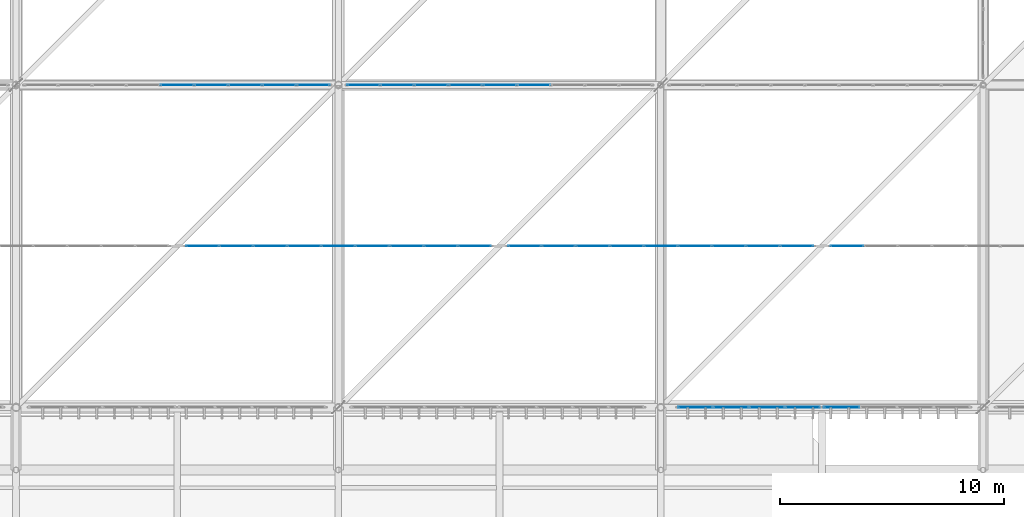
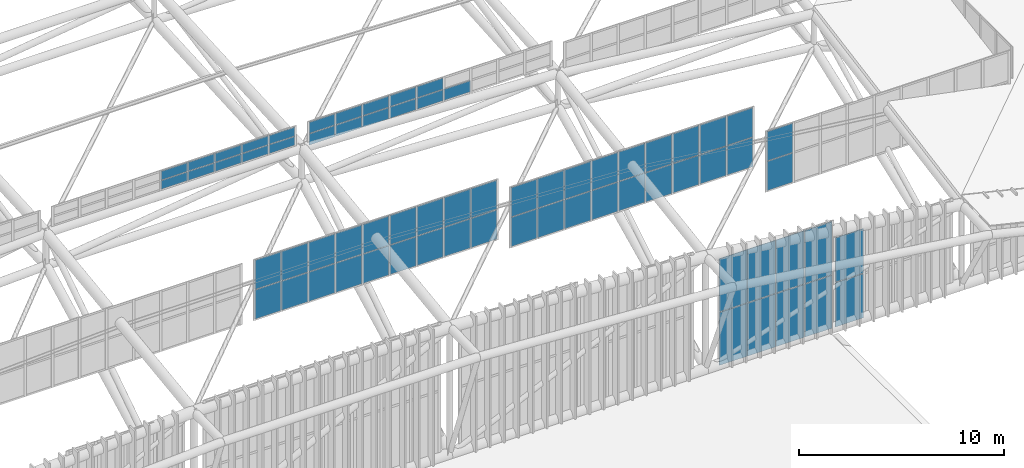
# One storey, part 365 of 397: 69 plates, 7 elements without a shape of their own.
"""IFC4 building model written with IfcOpenShell, lengths in metres."""

import ifcopenshell
import ifcopenshell.guid

model = None  # the IFC model being written
_history = None  # IfcOwnerHistory: only IFC2X3 demands one
_inside = {}  # id of a spatial element -> (the spatial element, [elements in it])
_under = {}  # id of a project, library or spatial element -> (it, [spatial elements below it])
_declared = {}  # id of a project -> (the project, [libraries it declares])
_typed = {}  # id of a type object -> (the type object, [elements of that type])
_made_of = {}  # id of a material, layer set ... -> (it, [elements and type objects made of it])


def new_model(schema):
    """Start an empty IFC model of exactly this schema.

    Asked for "IFC4X3", IfcOpenShell would pick the latest addendum, in which some entities
    have other attributes; the version numbers below select the first issue.
    IFC2X3 requires an IfcOwnerHistory on every rooted entity: one is made here for all.
    """
    global model, _history
    if schema == "IFC4X3":
        model = ifcopenshell.file(schema_version=(4, 3, 0, 0))
    else:
        model = ifcopenshell.file(schema=schema)
    _inside.clear()
    _under.clear()
    _declared.clear()
    _typed.clear()
    _made_of.clear()
    _history = None
    if model.schema == "IFC2X3":
        org = make("IfcOrganization", Name="unknown")
        user = make(
            "IfcPersonAndOrganization",
            ThePerson=make("IfcPerson", FamilyName="unknown"),
            TheOrganization=org,
        )
        app = make(
            "IfcApplication",
            ApplicationDeveloper=org,
            Version="unknown",
            ApplicationFullName="unknown",
            ApplicationIdentifier="unknown",
        )
        _history = make(
            "IfcOwnerHistory",
            OwningUser=user,
            OwningApplication=app,
            ChangeAction="ADDED",
            CreationDate=0,
        )
    return model


def make(cls, **values):
    """One entity of the class cls with the attributes given. An attribute that is None is left unset."""
    return model.create_entity(
        cls, **{name: value for name, value in values.items() if value is not None}
    )


def rooted(cls, **values):
    """An entity with a GlobalId (a new one), such as an element, a storey or a relation."""
    return make(cls, GlobalId=ifcopenshell.guid.new(), OwnerHistory=_history, **values)


def si_unit(unit_type, name, prefix=None):
    """IfcSIUnit, for example si_unit("LENGTHUNIT", "METRE", prefix="MILLI")."""
    return make("IfcSIUnit", UnitType=unit_type, Prefix=prefix, Name=name)


def assignment(units):
    """IfcUnitAssignment: the units of a project."""
    return None if units is None else make("IfcUnitAssignment", Units=units)


def point(xyz):
    """IfcCartesianPoint."""
    return None if xyz is None else make("IfcCartesianPoint", Coordinates=xyz)


def direction(xyz):
    """IfcDirection."""
    return None if xyz is None else make("IfcDirection", DirectionRatios=xyz)


def frame(location, z_axis=None, x_axis=None):
    """IfcAxis2Placement3D, a coordinate frame: its origin and axes. An axis left out is left unset."""
    return make(
        "IfcAxis2Placement3D",
        Location=point(location),
        Axis=direction(z_axis),
        RefDirection=direction(x_axis),
    )


def frame_2d(location, x_axis=None):
    """IfcAxis2Placement2D, a coordinate frame in the plane: its origin and x axis."""
    return make(
        "IfcAxis2Placement2D", Location=point(location), RefDirection=direction(x_axis)
    )


def origin():
    """The frame at (0, 0, 0) with its axes left unset."""
    return frame((0.0, 0.0, 0.0))


def origin_2d():
    """The frame at (0, 0) in the plane with its x axis left unset."""
    return frame_2d((0.0, 0.0))


def place(relative_to, where):
    """IfcLocalPlacement: puts the frame where relative to a parent placement (None: the world)."""
    return make(
        "IfcLocalPlacement", PlacementRelTo=relative_to, RelativePlacement=where
    )


def context(
    kind, dimensions, precision=None, world=None, true_north=None, identifier=None
):
    """IfcGeometricRepresentationContext, for example the 3D "Model" context."""
    return make(
        "IfcGeometricRepresentationContext",
        ContextIdentifier=identifier,
        ContextType=kind,
        CoordinateSpaceDimension=dimensions,
        Precision=precision,
        WorldCoordinateSystem=world,
        TrueNorth=true_north,
    )


def subcontext(parent, identifier, kind, view, scale=None):
    """IfcGeometricRepresentationSubContext, for example "Body" below "Model"."""
    return make(
        "IfcGeometricRepresentationSubContext",
        ContextIdentifier=identifier,
        ContextType=kind,
        ParentContext=parent,
        TargetScale=scale,
        TargetView=view,
    )


def project(units=None, contexts=None):
    """IfcProject with its units and contexts."""
    return rooted(
        "IfcProject",
        Name="project",
        RepresentationContexts=contexts,
        UnitsInContext=assignment(units),
    )


def spatial(cls, under=None, at=None, **own):
    """A site, building, storey or space (cls), placed at a placement, below another one or the project."""
    s = rooted(cls, ObjectPlacement=at, **own)
    if under is not None:
        _under.setdefault(under.id(), (under, []))[1].append(s)
    return s


def profile(cls, at=None, kind="AREA", **sizes):
    """A parametric profile (cls). Its sizes go by their IFC names, for example OverallWidth=200.0."""
    return make(cls, ProfileType=kind, Position=at, **sizes)


def rectangle(**sizes):
    """IfcRectangleProfileDef."""
    return profile("IfcRectangleProfileDef", **sizes)


def extrude(swept, where, along, depth):
    """IfcExtrudedAreaSolid: the profile swept, set in the frame where, extruded along a direction by depth."""
    return make(
        "IfcExtrudedAreaSolid",
        SweptArea=swept,
        Position=where,
        ExtrudedDirection=direction(along),
        Depth=depth,
    )


def shape(context_of_items, identifier, shape_type, items):
    """IfcShapeRepresentation: the items that make up one representation, for example the "Body"."""
    return make(
        "IfcShapeRepresentation",
        ContextOfItems=context_of_items,
        RepresentationIdentifier=identifier,
        RepresentationType=shape_type,
        Items=items,
    )


def material(Name=None, Category=None):
    """IfcMaterial."""
    return make("IfcMaterial", Name=Name, Category=Category)


def layer(
    of_material, thickness, ventilated=None, Name=None, Category=None, Priority=None
):
    """IfcMaterialLayer: one layer of a wall or slab, of a material (None: an air gap)."""
    return make(
        "IfcMaterialLayer",
        Material=of_material,
        LayerThickness=thickness,
        IsVentilated=ventilated,
        Name=Name,
        Category=Category,
        Priority=Priority,
    )


def layer_set(layers, Name=None):
    """IfcMaterialLayerSet."""
    return make("IfcMaterialLayerSet", MaterialLayers=layers, LayerSetName=Name)


def made_of(thing, what):
    """Note that an element or type object is made of a material, layer set ...; save() writes the relation."""
    if what is not None:
        _made_of.setdefault(what.id(), (what, []))[1].append(thing)
    return thing


def type_object(cls, material=None, **own):
    """A type object (cls), such as IfcWallType, which elements share."""
    return made_of(rooted(cls, **own), material)


def element(
    cls,
    number,
    at=None,
    inside=None,
    cuts=None,
    type_object=None,
    material=None,
    context=None,
    identifier="Body",
    shape_type=None,
    held_by="IfcProductDefinitionShape",
    body=None,
    shapes=None,
    **own,
):
    """One element of the class cls, such as IfcWall. Its Tag is "e" and its number.

    at: its placement. inside: the storey or other place that contains it. cuts: it is an
    opening in that element (IfcRelVoidsElement). A single representation is given by context,
    identifier, shape_type and body (its items); several are given by shapes. held_by: the class
    of the entity that holds the representations. save() writes the other relations.
    """
    e = rooted(cls, Tag="e%d" % number, ObjectPlacement=at, **own)
    if body is not None:
        shapes = [shape(context, identifier, shape_type, body)]
    if shapes is not None:
        e.Representation = make(held_by, Representations=shapes)
    if inside is not None:
        _inside.setdefault(inside.id(), (inside, []))[1].append(e)
    if cuts is not None:
        rooted(
            "IfcRelVoidsElement", RelatingBuildingElement=cuts, RelatedOpeningElement=e
        )
    if type_object is not None:
        _typed.setdefault(type_object.id(), (type_object, []))[1].append(e)
    return made_of(e, material)


def aggregate(whole, parts):
    """IfcRelAggregates: a whole, such as a stair, and the parts it consists of."""
    return rooted("IfcRelAggregates", RelatingObject=whole, RelatedObjects=parts)


def save(model, path):
    """Write the relations noted so far, then the file.

    IfcRelAggregates (storeys below a building ...), IfcRelContainedInSpatialStructure (elements
    in a storey), IfcRelDefinesByType, IfcRelAssociatesMaterial and IfcRelDeclares: one each for
    every whole, place, type object, material and project.
    """
    for whole, parts in _under.values():
        aggregate(whole, parts)
    for where, things in _inside.values():
        rooted(
            "IfcRelContainedInSpatialStructure",
            RelatedElements=things,
            RelatingStructure=where,
        )
    for kind, things in _typed.values():
        rooted("IfcRelDefinesByType", RelatedObjects=things, RelatingType=kind)
    for what, things in _made_of.values():
        rooted("IfcRelAssociatesMaterial", RelatedObjects=things, RelatingMaterial=what)
    for by, libraries in _declared.values():
        rooted("IfcRelDeclares", RelatingContext=by, RelatedDefinitions=libraries)
    model.write(path)


model = new_model("IFC4")

# Units and contexts
model_context = context("Model", 3, precision=1e-05, world=origin(), true_north=direction((0.0, 1.0)))
body_context = subcontext(model_context, "Body", "Model", "MODEL_VIEW")
ifc_project = project(units=[si_unit("LENGTHUNIT", "METRE"), si_unit("AREAUNIT", "SQUARE_METRE"), si_unit("VOLUMEUNIT", "CUBIC_METRE"), si_unit("PLANEANGLEUNIT", "RADIAN"), si_unit("MASSUNIT", "GRAM", prefix="KILO")], contexts=[model_context])

# Site, building, storey
site_placement = place(None, origin())
site = spatial("IfcSite", under=ifc_project, at=site_placement, CompositionType="ELEMENT")
building_placement = place(site_placement, origin())
building = spatial("IfcBuilding", under=site, at=building_placement, Name="Qandorah Velis Arena", CompositionType="ELEMENT")
storey_placement = place(building_placement, frame((0.0, 0.0, 27.5)))
storey = spatial("IfcBuildingStorey", under=building, at=storey_placement, Name="RF", CompositionType="ELEMENT", Elevation=27.5)

# Curtain wall, plates
ifc_material = material(Name="Solar-control low-E double glazing", Category="glass")
curtain_wall_type_1 = type_object("IfcCurtainWallType", Name="ARC-CW-SYS22", PredefinedType="USERDEFINED", material=ifc_material)
curtain_wall_1_placement = place(storey_placement, origin())
curtain_wall_1 = element("IfcCurtainWall", 1, at=curtain_wall_1_placement, inside=storey, type_object=curtain_wall_type_1, Name="Unitised curtain wall MON-3-4", ObjectType="UNITISED CURTAIN WALL", PredefinedType="USERDEFINED")
ifc_layer_1 = layer(ifc_material, 0.030029296875)
ifc_layer_set_1 = layer_set([ifc_layer_1], Name="Solar-control low-E double glazing")
plate_type_1 = type_object("IfcPlateType", Name="ARC-CWP-GLZ30", PredefinedType="CURTAIN_PANEL", material=ifc_layer_set_1)
plate_1_placement = place(storey_placement, frame((65.9248046875, 21.60009765625, 6.12451171875), z_axis=(0.0, 0.0, 1.0), x_axis=(1.0, 0.0, 0.0)))
plate_1 = element("IfcPlate", 2, at=plate_1_placement, type_object=plate_type_1, Name="CW22 panel 1.1", PredefinedType="CURTAIN_PANEL", context=body_context, shape_type="SweptSolid", body=[
    extrude(rectangle(XDim=1.459716796875, YDim=0.030029296875, at=origin_2d()), origin(), (0.0, 0.0, 1.0), 1.737548828125),
])
plate_2_placement = place(storey_placement, frame((65.9248046875, 21.60009765625, 7.89697265625), z_axis=(0.0, 0.0, 1.0), x_axis=(1.0, 0.0, 0.0)))
plate_2 = element("IfcPlate", 3, at=plate_2_placement, type_object=plate_type_1, Name="CW22 panel 1.2", PredefinedType="CURTAIN_PANEL", context=body_context, shape_type="SweptSolid", body=[
    extrude(rectangle(XDim=1.459716796875, YDim=0.030029296875, at=origin_2d()), origin(), (0.0, 0.0, 1.0), 1.737548828125),
])
plate_3_placement = place(storey_placement, frame((67.433349609375, 21.60009765625, 6.12451171875), z_axis=(0.0, 0.0, 1.0), x_axis=(1.0, 0.0, 0.0)))
plate_3 = element("IfcPlate", 4, at=plate_3_placement, type_object=plate_type_1, Name="CW22 panel 2.1", PredefinedType="CURTAIN_PANEL", context=body_context, shape_type="SweptSolid", body=[
    extrude(rectangle(XDim=1.4873046875, YDim=0.030029296875, at=origin_2d()), origin(), (0.0, 0.0, 1.0), 1.737548828125),
])
plate_4_placement = place(storey_placement, frame((67.433349609375, 21.60009765625, 7.89697265625), z_axis=(0.0, 0.0, 1.0), x_axis=(1.0, 0.0, 0.0)))
plate_4 = element("IfcPlate", 5, at=plate_4_placement, type_object=plate_type_1, Name="CW22 panel 2.2", PredefinedType="CURTAIN_PANEL", context=body_context, shape_type="SweptSolid", body=[
    extrude(rectangle(XDim=1.4873046875, YDim=0.030029296875, at=origin_2d()), origin(), (0.0, 0.0, 1.0), 1.737548828125),
])
plate_5_placement = place(storey_placement, frame((68.95556640625, 21.60009765625, 6.12451171875), z_axis=(0.0, 0.0, 1.0), x_axis=(1.0, 0.0, 0.0)))
plate_5 = element("IfcPlate", 6, at=plate_5_placement, type_object=plate_type_1, Name="CW22 panel 3.1", PredefinedType="CURTAIN_PANEL", context=body_context, shape_type="SweptSolid", body=[
    extrude(rectangle(XDim=1.4873046875, YDim=0.030029296875, at=origin_2d()), origin(), (0.0, 0.0, 1.0), 1.737548828125),
])
plate_6_placement = place(storey_placement, frame((68.95556640625, 21.60009765625, 7.89697265625), z_axis=(0.0, 0.0, 1.0), x_axis=(1.0, 0.0, 0.0)))
plate_6 = element("IfcPlate", 7, at=plate_6_placement, type_object=plate_type_1, Name="CW22 panel 3.2", PredefinedType="CURTAIN_PANEL", context=body_context, shape_type="SweptSolid", body=[
    extrude(rectangle(XDim=1.4873046875, YDim=0.030029296875, at=origin_2d()), origin(), (0.0, 0.0, 1.0), 1.737548828125),
])
plate_7_placement = place(storey_placement, frame((70.477783203125, 21.60009765625, 6.12451171875), z_axis=(0.0, 0.0, 1.0), x_axis=(1.0, 0.0, 0.0)))
plate_7 = element("IfcPlate", 8, at=plate_7_placement, type_object=plate_type_1, Name="CW22 panel 4.1", PredefinedType="CURTAIN_PANEL", context=body_context, shape_type="SweptSolid", body=[
    extrude(rectangle(XDim=1.4873046875, YDim=0.030029296875, at=origin_2d()), origin(), (0.0, 0.0, 1.0), 1.737548828125),
])
plate_8_placement = place(storey_placement, frame((70.477783203125, 21.60009765625, 7.89697265625), z_axis=(0.0, 0.0, 1.0), x_axis=(1.0, 0.0, 0.0)))
plate_8 = element("IfcPlate", 9, at=plate_8_placement, type_object=plate_type_1, Name="CW22 panel 4.2", PredefinedType="CURTAIN_PANEL", context=body_context, shape_type="SweptSolid", body=[
    extrude(rectangle(XDim=1.4873046875, YDim=0.030029296875, at=origin_2d()), origin(), (0.0, 0.0, 1.0), 1.737548828125),
])
plate_9_placement = place(storey_placement, frame((72.0, 21.60009765625, 6.12451171875), z_axis=(0.0, 0.0, 1.0), x_axis=(1.0, 0.0, 0.0)))
plate_9 = element("IfcPlate", 10, at=plate_9_placement, type_object=plate_type_1, Name="CW22 panel 5.1", PredefinedType="CURTAIN_PANEL", context=body_context, shape_type="SweptSolid", body=[
    extrude(rectangle(XDim=1.4873046875, YDim=0.030029296875, at=origin_2d()), origin(), (0.0, 0.0, 1.0), 1.737548828125),
])
plate_10_placement = place(storey_placement, frame((72.0, 21.60009765625, 7.89697265625), z_axis=(0.0, 0.0, 1.0), x_axis=(1.0, 0.0, 0.0)))
plate_10 = element("IfcPlate", 11, at=plate_10_placement, type_object=plate_type_1, Name="CW22 panel 5.2", PredefinedType="CURTAIN_PANEL", context=body_context, shape_type="SweptSolid", body=[
    extrude(rectangle(XDim=1.4873046875, YDim=0.030029296875, at=origin_2d()), origin(), (0.0, 0.0, 1.0), 1.737548828125),
])
plate_11_placement = place(storey_placement, frame((73.522216796875, 21.60009765625, 6.12451171875), z_axis=(0.0, 0.0, 1.0), x_axis=(1.0, 0.0, 0.0)))
plate_11 = element("IfcPlate", 12, at=plate_11_placement, type_object=plate_type_1, Name="CW22 panel 6.1", PredefinedType="CURTAIN_PANEL", context=body_context, shape_type="SweptSolid", body=[
    extrude(rectangle(XDim=1.4873046875, YDim=0.030029296875, at=origin_2d()), origin(), (0.0, 0.0, 1.0), 1.737548828125),
])
plate_12_placement = place(storey_placement, frame((73.522216796875, 21.60009765625, 7.89697265625), z_axis=(0.0, 0.0, 1.0), x_axis=(1.0, 0.0, 0.0)))
plate_12 = element("IfcPlate", 13, at=plate_12_placement, type_object=plate_type_1, Name="CW22 panel 6.2", PredefinedType="CURTAIN_PANEL", context=body_context, shape_type="SweptSolid", body=[
    extrude(rectangle(XDim=1.4873046875, YDim=0.030029296875, at=origin_2d()), origin(), (0.0, 0.0, 1.0), 1.737548828125),
])
plate_13_placement = place(storey_placement, frame((75.04443359375, 21.60009765625, 6.12451171875), z_axis=(0.0, 0.0, 1.0), x_axis=(1.0, 0.0, 0.0)))
plate_13 = element("IfcPlate", 14, at=plate_13_placement, type_object=plate_type_1, Name="CW22 panel 7.1", PredefinedType="CURTAIN_PANEL", context=body_context, shape_type="SweptSolid", body=[
    extrude(rectangle(XDim=1.4873046875, YDim=0.030029296875, at=origin_2d()), origin(), (0.0, 0.0, 1.0), 1.737548828125),
])
plate_14_placement = place(storey_placement, frame((75.04443359375, 21.60009765625, 7.89697265625), z_axis=(0.0, 0.0, 1.0), x_axis=(1.0, 0.0, 0.0)))
plate_14 = element("IfcPlate", 15, at=plate_14_placement, type_object=plate_type_1, Name="CW22 panel 7.2", PredefinedType="CURTAIN_PANEL", context=body_context, shape_type="SweptSolid", body=[
    extrude(rectangle(XDim=1.4873046875, YDim=0.030029296875, at=origin_2d()), origin(), (0.0, 0.0, 1.0), 1.737548828125),
])
plate_15_placement = place(storey_placement, frame((76.566650390625, 21.60009765625, 6.12451171875), z_axis=(0.0, 0.0, 1.0), x_axis=(1.0, 0.0, 0.0)))
plate_15 = element("IfcPlate", 16, at=plate_15_placement, type_object=plate_type_1, Name="CW22 panel 8.1", PredefinedType="CURTAIN_PANEL", context=body_context, shape_type="SweptSolid", body=[
    extrude(rectangle(XDim=1.4873046875, YDim=0.030029296875, at=origin_2d()), origin(), (0.0, 0.0, 1.0), 1.737548828125),
])
plate_16_placement = place(storey_placement, frame((76.566650390625, 21.60009765625, 7.89697265625), z_axis=(0.0, 0.0, 1.0), x_axis=(1.0, 0.0, 0.0)))
plate_16 = element("IfcPlate", 17, at=plate_16_placement, type_object=plate_type_1, Name="CW22 panel 8.2", PredefinedType="CURTAIN_PANEL", context=body_context, shape_type="SweptSolid", body=[
    extrude(rectangle(XDim=1.4873046875, YDim=0.030029296875, at=origin_2d()), origin(), (0.0, 0.0, 1.0), 1.737548828125),
])
plate_17_placement = place(storey_placement, frame((78.0751953125, 21.60009765625, 6.12451171875), z_axis=(0.0, 0.0, 1.0), x_axis=(1.0, 0.0, 0.0)))
plate_17 = element("IfcPlate", 18, at=plate_17_placement, type_object=plate_type_1, Name="CW22 panel 9.1", PredefinedType="CURTAIN_PANEL", context=body_context, shape_type="SweptSolid", body=[
    extrude(rectangle(XDim=1.459716796875, YDim=0.030029296875, at=origin_2d()), origin(), (0.0, 0.0, 1.0), 1.737548828125),
])
plate_18_placement = place(storey_placement, frame((78.0751953125, 21.60009765625, 7.89697265625), z_axis=(0.0, 0.0, 1.0), x_axis=(1.0, 0.0, 0.0)))
plate_18 = element("IfcPlate", 19, at=plate_18_placement, type_object=plate_type_1, Name="CW22 panel 9.2", PredefinedType="CURTAIN_PANEL", context=body_context, shape_type="SweptSolid", body=[
    extrude(rectangle(XDim=1.459716796875, YDim=0.030029296875, at=origin_2d()), origin(), (0.0, 0.0, 1.0), 1.737548828125),
])
aggregate(curtain_wall_1, [plate_1, plate_2, plate_3, plate_4, plate_5, plate_6, plate_7, plate_8, plate_9, plate_10, plate_11, plate_12, plate_13, plate_14, plate_15, plate_16, plate_17, plate_18])

curtain_wall_type_2 = type_object("IfcCurtainWallType", Name="ARC-CW-SYS23", PredefinedType="USERDEFINED", material=ifc_material)
curtain_wall_2_placement = place(storey_placement, origin())
curtain_wall_2 = element("IfcCurtainWall", 20, at=curtain_wall_2_placement, inside=storey, type_object=curtain_wall_type_2, Name="Unitised curtain wall MON-3-5", ObjectType="UNITISED CURTAIN WALL", PredefinedType="USERDEFINED")
plate_19_placement = place(storey_placement, frame((80.324951171875, 21.60009765625, 5.3974609375), z_axis=(0.0, 0.0, 1.0), x_axis=(1.0, 0.0, 0.0)))
plate_19 = element("IfcPlate", 21, at=plate_19_placement, type_object=plate_type_1, Name="CW23 panel 1.1", PredefinedType="CURTAIN_PANEL", context=body_context, shape_type="SweptSolid", body=[
    extrude(rectangle(XDim=1.459716796875, YDim=0.030029296875, at=origin_2d()), origin(), (0.0, 0.0, 1.0), 1.737548828125),
])
plate_20_placement = place(storey_placement, frame((80.324951171875, 21.60009765625, 7.17041015625), z_axis=(0.0, 0.0, 1.0), x_axis=(1.0, 0.0, 0.0)))
plate_20 = element("IfcPlate", 22, at=plate_20_placement, type_object=plate_type_1, Name="CW23 panel 1.2", PredefinedType="CURTAIN_PANEL", context=body_context, shape_type="SweptSolid", body=[
    extrude(rectangle(XDim=1.459716796875, YDim=0.030029296875, at=origin_2d()), origin(), (0.0, 0.0, 1.0), 1.737548828125),
])
plate_21_placement = place(storey_placement, frame((81.833251953125, 21.60009765625, 5.3974609375), z_axis=(0.0, 0.0, 1.0), x_axis=(1.0, 0.0, 0.0)))
plate_21 = element("IfcPlate", 23, at=plate_21_placement, type_object=plate_type_1, Name="CW23 panel 2.1", PredefinedType="CURTAIN_PANEL", context=body_context, shape_type="SweptSolid", body=[
    extrude(rectangle(XDim=1.4873046875, YDim=0.030029296875, at=origin_2d()), origin(), (0.0, 0.0, 1.0), 1.737548828125),
])
plate_22_placement = place(storey_placement, frame((81.833251953125, 21.60009765625, 7.17041015625), z_axis=(0.0, 0.0, 1.0), x_axis=(1.0, 0.0, 0.0)))
plate_22 = element("IfcPlate", 24, at=plate_22_placement, type_object=plate_type_1, Name="CW23 panel 2.2", PredefinedType="CURTAIN_PANEL", context=body_context, shape_type="SweptSolid", body=[
    extrude(rectangle(XDim=1.4873046875, YDim=0.030029296875, at=origin_2d()), origin(), (0.0, 0.0, 1.0), 1.737548828125),
])
plate_23_placement = place(storey_placement, frame((83.35546875, 21.60009765625, 5.3974609375), z_axis=(0.0, 0.0, 1.0), x_axis=(1.0, 0.0, 0.0)))
plate_23 = element("IfcPlate", 25, at=plate_23_placement, type_object=plate_type_1, Name="CW23 panel 3.1", PredefinedType="CURTAIN_PANEL", context=body_context, shape_type="SweptSolid", body=[
    extrude(rectangle(XDim=1.4873046875, YDim=0.030029296875, at=origin_2d()), origin(), (0.0, 0.0, 1.0), 1.737548828125),
])
plate_24_placement = place(storey_placement, frame((83.35546875, 21.60009765625, 7.17041015625), z_axis=(0.0, 0.0, 1.0), x_axis=(1.0, 0.0, 0.0)))
plate_24 = element("IfcPlate", 26, at=plate_24_placement, type_object=plate_type_1, Name="CW23 panel 3.2", PredefinedType="CURTAIN_PANEL", context=body_context, shape_type="SweptSolid", body=[
    extrude(rectangle(XDim=1.4873046875, YDim=0.030029296875, at=origin_2d()), origin(), (0.0, 0.0, 1.0), 1.737548828125),
])
plate_25_placement = place(storey_placement, frame((84.877685546875, 21.60009765625, 5.3974609375), z_axis=(0.0, 0.0, 1.0), x_axis=(1.0, 0.0, 0.0)))
plate_25 = element("IfcPlate", 27, at=plate_25_placement, type_object=plate_type_1, Name="CW23 panel 4.1", PredefinedType="CURTAIN_PANEL", context=body_context, shape_type="SweptSolid", body=[
    extrude(rectangle(XDim=1.4873046875, YDim=0.030029296875, at=origin_2d()), origin(), (0.0, 0.0, 1.0), 1.737548828125),
])
plate_26_placement = place(storey_placement, frame((84.877685546875, 21.60009765625, 7.17041015625), z_axis=(0.0, 0.0, 1.0), x_axis=(1.0, 0.0, 0.0)))
plate_26 = element("IfcPlate", 28, at=plate_26_placement, type_object=plate_type_1, Name="CW23 panel 4.2", PredefinedType="CURTAIN_PANEL", context=body_context, shape_type="SweptSolid", body=[
    extrude(rectangle(XDim=1.4873046875, YDim=0.030029296875, at=origin_2d()), origin(), (0.0, 0.0, 1.0), 1.737548828125),
])
plate_27_placement = place(storey_placement, frame((86.39990234375, 21.60009765625, 5.3974609375), z_axis=(0.0, 0.0, 1.0), x_axis=(1.0, 0.0, 0.0)))
plate_27 = element("IfcPlate", 29, at=plate_27_placement, type_object=plate_type_1, Name="CW23 panel 5.1", PredefinedType="CURTAIN_PANEL", context=body_context, shape_type="SweptSolid", body=[
    extrude(rectangle(XDim=1.4873046875, YDim=0.030029296875, at=origin_2d()), origin(), (0.0, 0.0, 1.0), 1.737548828125),
])
plate_28_placement = place(storey_placement, frame((86.39990234375, 21.60009765625, 7.17041015625), z_axis=(0.0, 0.0, 1.0), x_axis=(1.0, 0.0, 0.0)))
plate_28 = element("IfcPlate", 30, at=plate_28_placement, type_object=plate_type_1, Name="CW23 panel 5.2", PredefinedType="CURTAIN_PANEL", context=body_context, shape_type="SweptSolid", body=[
    extrude(rectangle(XDim=1.4873046875, YDim=0.030029296875, at=origin_2d()), origin(), (0.0, 0.0, 1.0), 1.737548828125),
])
plate_29_placement = place(storey_placement, frame((87.922119140625, 21.60009765625, 5.3974609375), z_axis=(0.0, 0.0, 1.0), x_axis=(1.0, 0.0, 0.0)))
plate_29 = element("IfcPlate", 31, at=plate_29_placement, type_object=plate_type_1, Name="CW23 panel 6.1", PredefinedType="CURTAIN_PANEL", context=body_context, shape_type="SweptSolid", body=[
    extrude(rectangle(XDim=1.4873046875, YDim=0.030029296875, at=origin_2d()), origin(), (0.0, 0.0, 1.0), 1.737548828125),
])
plate_30_placement = place(storey_placement, frame((87.922119140625, 21.60009765625, 7.17041015625), z_axis=(0.0, 0.0, 1.0), x_axis=(1.0, 0.0, 0.0)))
plate_30 = element("IfcPlate", 32, at=plate_30_placement, type_object=plate_type_1, Name="CW23 panel 6.2", PredefinedType="CURTAIN_PANEL", context=body_context, shape_type="SweptSolid", body=[
    extrude(rectangle(XDim=1.4873046875, YDim=0.030029296875, at=origin_2d()), origin(), (0.0, 0.0, 1.0), 1.737548828125),
])
plate_31_placement = place(storey_placement, frame((89.4443359375, 21.60009765625, 5.3974609375), z_axis=(0.0, 0.0, 1.0), x_axis=(1.0, 0.0, 0.0)))
plate_31 = element("IfcPlate", 33, at=plate_31_placement, type_object=plate_type_1, Name="CW23 panel 7.1", PredefinedType="CURTAIN_PANEL", context=body_context, shape_type="SweptSolid", body=[
    extrude(rectangle(XDim=1.4873046875, YDim=0.030029296875, at=origin_2d()), origin(), (0.0, 0.0, 1.0), 1.737548828125),
])
plate_32_placement = place(storey_placement, frame((89.4443359375, 21.60009765625, 7.17041015625), z_axis=(0.0, 0.0, 1.0), x_axis=(1.0, 0.0, 0.0)))
plate_32 = element("IfcPlate", 34, at=plate_32_placement, type_object=plate_type_1, Name="CW23 panel 7.2", PredefinedType="CURTAIN_PANEL", context=body_context, shape_type="SweptSolid", body=[
    extrude(rectangle(XDim=1.4873046875, YDim=0.030029296875, at=origin_2d()), origin(), (0.0, 0.0, 1.0), 1.737548828125),
])
plate_33_placement = place(storey_placement, frame((90.966552734375, 21.60009765625, 5.3974609375), z_axis=(0.0, 0.0, 1.0), x_axis=(1.0, 0.0, 0.0)))
plate_33 = element("IfcPlate", 35, at=plate_33_placement, type_object=plate_type_1, Name="CW23 panel 8.1", PredefinedType="CURTAIN_PANEL", context=body_context, shape_type="SweptSolid", body=[
    extrude(rectangle(XDim=1.4873046875, YDim=0.030029296875, at=origin_2d()), origin(), (0.0, 0.0, 1.0), 1.737548828125),
])
plate_34_placement = place(storey_placement, frame((90.966552734375, 21.60009765625, 7.17041015625), z_axis=(0.0, 0.0, 1.0), x_axis=(1.0, 0.0, 0.0)))
plate_34 = element("IfcPlate", 36, at=plate_34_placement, type_object=plate_type_1, Name="CW23 panel 8.2", PredefinedType="CURTAIN_PANEL", context=body_context, shape_type="SweptSolid", body=[
    extrude(rectangle(XDim=1.4873046875, YDim=0.030029296875, at=origin_2d()), origin(), (0.0, 0.0, 1.0), 1.737548828125),
])
plate_35_placement = place(storey_placement, frame((92.47509765625, 21.60009765625, 5.3974609375), z_axis=(0.0, 0.0, 1.0), x_axis=(1.0, 0.0, 0.0)))
plate_35 = element("IfcPlate", 37, at=plate_35_placement, type_object=plate_type_1, Name="CW23 panel 9.1", PredefinedType="CURTAIN_PANEL", context=body_context, shape_type="SweptSolid", body=[
    extrude(rectangle(XDim=1.459716796875, YDim=0.030029296875, at=origin_2d()), origin(), (0.0, 0.0, 1.0), 1.737548828125),
])
plate_36_placement = place(storey_placement, frame((92.47509765625, 21.60009765625, 7.17041015625), z_axis=(0.0, 0.0, 1.0), x_axis=(1.0, 0.0, 0.0)))
plate_36 = element("IfcPlate", 38, at=plate_36_placement, type_object=plate_type_1, Name="CW23 panel 9.2", PredefinedType="CURTAIN_PANEL", context=body_context, shape_type="SweptSolid", body=[
    extrude(rectangle(XDim=1.459716796875, YDim=0.030029296875, at=origin_2d()), origin(), (0.0, 0.0, 1.0), 1.737548828125),
])
aggregate(curtain_wall_2, [plate_19, plate_20, plate_21, plate_22, plate_23, plate_24, plate_25, plate_26, plate_27, plate_28, plate_29, plate_30, plate_31, plate_32, plate_33, plate_34, plate_35, plate_36])

curtain_wall_type_3 = type_object("IfcCurtainWallType", Name="ARC-CW-SYS24", PredefinedType="USERDEFINED", material=ifc_material)
curtain_wall_3_placement = place(storey_placement, origin())
curtain_wall_3 = element("IfcCurtainWall", 39, at=curtain_wall_3_placement, inside=storey, type_object=curtain_wall_type_3, Name="Unitised curtain wall MON-3-6", ObjectType="UNITISED CURTAIN WALL", PredefinedType="USERDEFINED")
plate_37_placement = place(storey_placement, frame((94.724853515625, 21.60009765625, 3.685546875), z_axis=(0.0, 0.0, 1.0), x_axis=(1.0, 0.0, 0.0)))
plate_37 = element("IfcPlate", 40, at=plate_37_placement, type_object=plate_type_1, Name="CW24 panel 1.1", PredefinedType="CURTAIN_PANEL", context=body_context, shape_type="SweptSolid", body=[
    extrude(rectangle(XDim=1.459716796875, YDim=0.030029296875, at=origin_2d()), origin(), (0.0, 0.0, 1.0), 1.737548828125),
])
plate_38_placement = place(storey_placement, frame((94.724853515625, 21.60009765625, 5.45849609375), z_axis=(0.0, 0.0, 1.0), x_axis=(1.0, 0.0, 0.0)))
plate_38 = element("IfcPlate", 41, at=plate_38_placement, type_object=plate_type_1, Name="CW24 panel 1.2", PredefinedType="CURTAIN_PANEL", context=body_context, shape_type="SweptSolid", body=[
    extrude(rectangle(XDim=1.459716796875, YDim=0.030029296875, at=origin_2d()), origin(), (0.0, 0.0, 1.0), 1.737548828125),
])
aggregate(curtain_wall_3, [plate_37, plate_38])

curtain_wall_type_4 = type_object("IfcCurtainWallType", Name="ARC-CW-SYS18", PredefinedType="USERDEFINED", material=ifc_material)
curtain_wall_4_placement = place(storey_placement, origin())
curtain_wall_4 = element("IfcCurtainWall", 42, at=curtain_wall_4_placement, inside=storey, type_object=curtain_wall_type_4, Name="Unitised curtain wall OCULUS-3-3", ObjectType="UNITISED CURTAIN WALL", PredefinedType="USERDEFINED")
plate_39_placement = place(storey_placement, frame((64.800048828125, 28.800048828125, 9.87646484375), z_axis=(0.0, 0.0, 1.0), x_axis=(1.0, 0.0, 0.0)))
plate_39 = element("IfcPlate", 43, at=plate_39_placement, type_object=plate_type_1, Name="CW18 panel 5.1", PredefinedType="CURTAIN_PANEL", context=body_context, shape_type="SweptSolid", body=[
    extrude(rectangle(XDim=1.4873046875, YDim=0.030029296875, at=origin_2d()), origin(), (0.0, 0.0, 1.0), 0.521728515625),
])
plate_40_placement = place(storey_placement, frame((64.800048828125, 28.800048828125, 10.43310546875), z_axis=(0.0, 0.0, 1.0), x_axis=(1.0, 0.0, 0.0)))
plate_40 = element("IfcPlate", 44, at=plate_40_placement, type_object=plate_type_1, Name="CW18 panel 5.2", PredefinedType="CURTAIN_PANEL", context=body_context, shape_type="SweptSolid", body=[
    extrude(rectangle(XDim=1.4873046875, YDim=0.030029296875, at=origin_2d()), origin(), (0.0, 0.0, 1.0), 0.521728515625),
])
plate_41_placement = place(storey_placement, frame((66.322265625, 28.800048828125, 9.87646484375), z_axis=(0.0, 0.0, 1.0), x_axis=(1.0, 0.0, 0.0)))
plate_41 = element("IfcPlate", 45, at=plate_41_placement, type_object=plate_type_1, Name="CW18 panel 6.1", PredefinedType="CURTAIN_PANEL", context=body_context, shape_type="SweptSolid", body=[
    extrude(rectangle(XDim=1.4873046875, YDim=0.030029296875, at=origin_2d()), origin(), (0.0, 0.0, 1.0), 0.521728515625),
])
plate_42_placement = place(storey_placement, frame((66.322265625, 28.800048828125, 10.43310546875), z_axis=(0.0, 0.0, 1.0), x_axis=(1.0, 0.0, 0.0)))
plate_42 = element("IfcPlate", 46, at=plate_42_placement, type_object=plate_type_1, Name="CW18 panel 6.2", PredefinedType="CURTAIN_PANEL", context=body_context, shape_type="SweptSolid", body=[
    extrude(rectangle(XDim=1.4873046875, YDim=0.030029296875, at=origin_2d()), origin(), (0.0, 0.0, 1.0), 0.521728515625),
])
plate_43_placement = place(storey_placement, frame((67.844482421875, 28.800048828125, 9.87646484375), z_axis=(0.0, 0.0, 1.0), x_axis=(1.0, 0.0, 0.0)))
plate_43 = element("IfcPlate", 47, at=plate_43_placement, type_object=plate_type_1, Name="CW18 panel 7.1", PredefinedType="CURTAIN_PANEL", context=body_context, shape_type="SweptSolid", body=[
    extrude(rectangle(XDim=1.4873046875, YDim=0.030029296875, at=origin_2d()), origin(), (0.0, 0.0, 1.0), 0.521728515625),
])
plate_44_placement = place(storey_placement, frame((67.844482421875, 28.800048828125, 10.43310546875), z_axis=(0.0, 0.0, 1.0), x_axis=(1.0, 0.0, 0.0)))
plate_44 = element("IfcPlate", 48, at=plate_44_placement, type_object=plate_type_1, Name="CW18 panel 7.2", PredefinedType="CURTAIN_PANEL", context=body_context, shape_type="SweptSolid", body=[
    extrude(rectangle(XDim=1.4873046875, YDim=0.030029296875, at=origin_2d()), origin(), (0.0, 0.0, 1.0), 0.521728515625),
])
plate_45_placement = place(storey_placement, frame((69.36669921875, 28.800048828125, 9.87646484375), z_axis=(0.0, 0.0, 1.0), x_axis=(1.0, 0.0, 0.0)))
plate_45 = element("IfcPlate", 49, at=plate_45_placement, type_object=plate_type_1, Name="CW18 panel 8.1", PredefinedType="CURTAIN_PANEL", context=body_context, shape_type="SweptSolid", body=[
    extrude(rectangle(XDim=1.4873046875, YDim=0.030029296875, at=origin_2d()), origin(), (0.0, 0.0, 1.0), 0.521728515625),
])
plate_46_placement = place(storey_placement, frame((69.36669921875, 28.800048828125, 10.43310546875), z_axis=(0.0, 0.0, 1.0), x_axis=(1.0, 0.0, 0.0)))
plate_46 = element("IfcPlate", 50, at=plate_46_placement, type_object=plate_type_1, Name="CW18 panel 8.2", PredefinedType="CURTAIN_PANEL", context=body_context, shape_type="SweptSolid", body=[
    extrude(rectangle(XDim=1.4873046875, YDim=0.030029296875, at=origin_2d()), origin(), (0.0, 0.0, 1.0), 0.521728515625),
])
plate_47_placement = place(storey_placement, frame((70.875244140625, 28.800048828125, 9.87646484375), z_axis=(0.0, 0.0, 1.0), x_axis=(1.0, 0.0, 0.0)))
plate_47 = element("IfcPlate", 51, at=plate_47_placement, type_object=plate_type_1, Name="CW18 panel 9.1", PredefinedType="CURTAIN_PANEL", context=body_context, shape_type="SweptSolid", body=[
    extrude(rectangle(XDim=1.459716796875, YDim=0.030029296875, at=origin_2d()), origin(), (0.0, 0.0, 1.0), 0.521728515625),
])
plate_48_placement = place(storey_placement, frame((70.875244140625, 28.800048828125, 10.43310546875), z_axis=(0.0, 0.0, 1.0), x_axis=(1.0, 0.0, 0.0)))
plate_48 = element("IfcPlate", 52, at=plate_48_placement, type_object=plate_type_1, Name="CW18 panel 9.2", PredefinedType="CURTAIN_PANEL", context=body_context, shape_type="SweptSolid", body=[
    extrude(rectangle(XDim=1.459716796875, YDim=0.030029296875, at=origin_2d()), origin(), (0.0, 0.0, 1.0), 0.521728515625),
])
aggregate(curtain_wall_4, [plate_39, plate_40, plate_41, plate_42, plate_43, plate_44, plate_45, plate_46, plate_47, plate_48])

curtain_wall_type_5 = type_object("IfcCurtainWallType", Name="ARC-CW-SYS19", PredefinedType="USERDEFINED", material=ifc_material)
curtain_wall_5_placement = place(storey_placement, origin())
curtain_wall_5 = element("IfcCurtainWall", 53, at=curtain_wall_5_placement, inside=storey, type_object=curtain_wall_type_5, Name="Unitised curtain wall OCULUS-3-4", ObjectType="UNITISED CURTAIN WALL", PredefinedType="USERDEFINED")
plate_49_placement = place(storey_placement, frame((73.124755859375, 28.800048828125, 9.593994140625), z_axis=(0.0, 0.0, 1.0), x_axis=(1.0, 0.0, 0.0)))
plate_49 = element("IfcPlate", 54, at=plate_49_placement, type_object=plate_type_1, Name="CW19 panel 1.1", PredefinedType="CURTAIN_PANEL", context=body_context, shape_type="SweptSolid", body=[
    extrude(rectangle(XDim=1.459716796875, YDim=0.030029296875, at=origin_2d()), origin(), (0.0, 0.0, 1.0), 0.6630859375),
])
plate_50_placement = place(storey_placement, frame((73.124755859375, 28.800048828125, 10.2919921875), z_axis=(0.0, 0.0, 1.0), x_axis=(1.0, 0.0, 0.0)))
plate_50 = element("IfcPlate", 55, at=plate_50_placement, type_object=plate_type_1, Name="CW19 panel 1.2", PredefinedType="CURTAIN_PANEL", context=body_context, shape_type="SweptSolid", body=[
    extrude(rectangle(XDim=1.459716796875, YDim=0.030029296875, at=origin_2d()), origin(), (0.0, 0.0, 1.0), 0.662841796875),
])
plate_51_placement = place(storey_placement, frame((74.63330078125, 28.800048828125, 9.593994140625), z_axis=(0.0, 0.0, 1.0), x_axis=(1.0, 0.0, 0.0)))
plate_51 = element("IfcPlate", 56, at=plate_51_placement, type_object=plate_type_1, Name="CW19 panel 2.1", PredefinedType="CURTAIN_PANEL", context=body_context, shape_type="SweptSolid", body=[
    extrude(rectangle(XDim=1.4873046875, YDim=0.030029296875, at=origin_2d()), origin(), (0.0, 0.0, 1.0), 0.6630859375),
])
plate_52_placement = place(storey_placement, frame((74.63330078125, 28.800048828125, 10.2919921875), z_axis=(0.0, 0.0, 1.0), x_axis=(1.0, 0.0, 0.0)))
plate_52 = element("IfcPlate", 57, at=plate_52_placement, type_object=plate_type_1, Name="CW19 panel 2.2", PredefinedType="CURTAIN_PANEL", context=body_context, shape_type="SweptSolid", body=[
    extrude(rectangle(XDim=1.4873046875, YDim=0.030029296875, at=origin_2d()), origin(), (0.0, 0.0, 1.0), 0.662841796875),
])
plate_53_placement = place(storey_placement, frame((76.155517578125, 28.800048828125, 9.593994140625), z_axis=(0.0, 0.0, 1.0), x_axis=(1.0, 0.0, 0.0)))
plate_53 = element("IfcPlate", 58, at=plate_53_placement, type_object=plate_type_1, Name="CW19 panel 3.1", PredefinedType="CURTAIN_PANEL", context=body_context, shape_type="SweptSolid", body=[
    extrude(rectangle(XDim=1.4873046875, YDim=0.030029296875, at=origin_2d()), origin(), (0.0, 0.0, 1.0), 0.6630859375),
])
plate_54_placement = place(storey_placement, frame((76.155517578125, 28.800048828125, 10.2919921875), z_axis=(0.0, 0.0, 1.0), x_axis=(1.0, 0.0, 0.0)))
plate_54 = element("IfcPlate", 59, at=plate_54_placement, type_object=plate_type_1, Name="CW19 panel 3.2", PredefinedType="CURTAIN_PANEL", context=body_context, shape_type="SweptSolid", body=[
    extrude(rectangle(XDim=1.4873046875, YDim=0.030029296875, at=origin_2d()), origin(), (0.0, 0.0, 1.0), 0.662841796875),
])
plate_55_placement = place(storey_placement, frame((77.677734375, 28.800048828125, 9.593994140625), z_axis=(0.0, 0.0, 1.0), x_axis=(1.0, 0.0, 0.0)))
plate_55 = element("IfcPlate", 60, at=plate_55_placement, type_object=plate_type_1, Name="CW19 panel 4.1", PredefinedType="CURTAIN_PANEL", context=body_context, shape_type="SweptSolid", body=[
    extrude(rectangle(XDim=1.4873046875, YDim=0.030029296875, at=origin_2d()), origin(), (0.0, 0.0, 1.0), 0.6630859375),
])
plate_56_placement = place(storey_placement, frame((77.677734375, 28.800048828125, 10.2919921875), z_axis=(0.0, 0.0, 1.0), x_axis=(1.0, 0.0, 0.0)))
plate_56 = element("IfcPlate", 61, at=plate_56_placement, type_object=plate_type_1, Name="CW19 panel 4.2", PredefinedType="CURTAIN_PANEL", context=body_context, shape_type="SweptSolid", body=[
    extrude(rectangle(XDim=1.4873046875, YDim=0.030029296875, at=origin_2d()), origin(), (0.0, 0.0, 1.0), 0.662841796875),
])
plate_57_placement = place(storey_placement, frame((79.199951171875, 28.800048828125, 9.593994140625), z_axis=(0.0, 0.0, 1.0), x_axis=(1.0, 0.0, 0.0)))
plate_57 = element("IfcPlate", 62, at=plate_57_placement, type_object=plate_type_1, Name="CW19 panel 5.1", PredefinedType="CURTAIN_PANEL", context=body_context, shape_type="SweptSolid", body=[
    extrude(rectangle(XDim=1.4873046875, YDim=0.030029296875, at=origin_2d()), origin(), (0.0, 0.0, 1.0), 0.6630859375),
])
plate_58_placement = place(storey_placement, frame((79.199951171875, 28.800048828125, 10.2919921875), z_axis=(0.0, 0.0, 1.0), x_axis=(1.0, 0.0, 0.0)))
plate_58 = element("IfcPlate", 63, at=plate_58_placement, type_object=plate_type_1, Name="CW19 panel 5.2", PredefinedType="CURTAIN_PANEL", context=body_context, shape_type="SweptSolid", body=[
    extrude(rectangle(XDim=1.4873046875, YDim=0.030029296875, at=origin_2d()), origin(), (0.0, 0.0, 1.0), 0.662841796875),
])
plate_59_placement = place(storey_placement, frame((80.72216796875, 28.800048828125, 9.593994140625), z_axis=(0.0, 0.0, 1.0), x_axis=(1.0, 0.0, 0.0)))
plate_59 = element("IfcPlate", 64, at=plate_59_placement, type_object=plate_type_1, Name="CW19 panel 6.1", PredefinedType="CURTAIN_PANEL", context=body_context, shape_type="SweptSolid", body=[
    extrude(rectangle(XDim=1.4873046875, YDim=0.030029296875, at=origin_2d()), origin(), (0.0, 0.0, 1.0), 0.6630859375),
])
aggregate(curtain_wall_5, [plate_49, plate_50, plate_51, plate_52, plate_53, plate_54, plate_55, plate_56, plate_57, plate_58, plate_59])

curtain_wall_6_placement = place(storey_placement, origin())
curtain_wall_6 = element("IfcCurtainWall", 65, at=curtain_wall_6_placement, inside=storey, type_object=curtain_wall_type_1, Name="Unitised curtain wall CROWN-3-06S1", ObjectType="UNITISED CURTAIN WALL", PredefinedType="USERDEFINED")
ifc_layer_2 = layer(ifc_material, 0.035888671875)
ifc_layer_set_2 = layer_set([ifc_layer_2], Name="Solar-control low-E double glazing")
plate_type_2 = type_object("IfcPlateType", Name="ARC-CWP-GLZ36", PredefinedType="CURTAIN_PANEL", material=ifc_layer_set_2)
plate_60_placement = place(storey_placement, frame((87.9443359375, 14.39990234375, 0.050048828125), z_axis=(0.0, 0.0, 1.0), x_axis=(1.0, 0.0, 0.0)))
plate_60 = element("IfcPlate", 66, at=plate_60_placement, type_object=plate_type_2, Name="CW22 panel 1.1", PredefinedType="CURTAIN_PANEL", context=body_context, shape_type="SweptSolid", body=[
    extrude(rectangle(XDim=1.538818359375, YDim=0.035888671875, at=origin_2d()), origin(), (0.0, 0.0, 1.0), 3.14990234375),
])
plate_61_placement = place(storey_placement, frame((87.9443359375, 14.39990234375, 3.23974609375), z_axis=(0.0, 0.0, 1.0), x_axis=(1.0, 0.0, 0.0)))
plate_61 = element("IfcPlate", 67, at=plate_61_placement, type_object=plate_type_2, Name="CW22 panel 1.2", PredefinedType="CURTAIN_PANEL", context=body_context, shape_type="SweptSolid", body=[
    extrude(rectangle(XDim=1.538818359375, YDim=0.035888671875, at=origin_2d()), origin(), (0.0, 0.0, 1.0), 3.14990234375),
])
plate_62_placement = place(storey_placement, frame((89.5380859375, 14.39990234375, 0.050048828125), z_axis=(0.0, 0.0, 1.0), x_axis=(1.0, 0.0, 0.0)))
plate_62 = element("IfcPlate", 68, at=plate_62_placement, type_object=plate_type_2, Name="CW22 panel 2.1", PredefinedType="CURTAIN_PANEL", context=body_context, shape_type="SweptSolid", body=[
    extrude(rectangle(XDim=1.56884765625, YDim=0.035888671875, at=origin_2d()), origin(), (0.0, 0.0, 1.0), 3.14990234375),
])
plate_63_placement = place(storey_placement, frame((89.5380859375, 14.39990234375, 3.23974609375), z_axis=(0.0, 0.0, 1.0), x_axis=(1.0, 0.0, 0.0)))
plate_63 = element("IfcPlate", 69, at=plate_63_placement, type_object=plate_type_2, Name="CW22 panel 2.2", PredefinedType="CURTAIN_PANEL", context=body_context, shape_type="SweptSolid", body=[
    extrude(rectangle(XDim=1.56884765625, YDim=0.035888671875, at=origin_2d()), origin(), (0.0, 0.0, 1.0), 3.14990234375),
])
plate_64_placement = place(storey_placement, frame((91.14697265625, 14.39990234375, 0.050048828125), z_axis=(0.0, 0.0, 1.0), x_axis=(1.0, 0.0, 0.0)))
plate_64 = element("IfcPlate", 70, at=plate_64_placement, type_object=plate_type_2, Name="CW22 panel 3.1", PredefinedType="CURTAIN_PANEL", context=body_context, shape_type="SweptSolid", body=[
    extrude(rectangle(XDim=1.56884765625, YDim=0.035888671875, at=origin_2d()), origin(), (0.0, 0.0, 1.0), 3.14990234375),
])
plate_65_placement = place(storey_placement, frame((91.14697265625, 14.39990234375, 3.23974609375), z_axis=(0.0, 0.0, 1.0), x_axis=(1.0, 0.0, 0.0)))
plate_65 = element("IfcPlate", 71, at=plate_65_placement, type_object=plate_type_2, Name="CW22 panel 3.2", PredefinedType="CURTAIN_PANEL", context=body_context, shape_type="SweptSolid", body=[
    extrude(rectangle(XDim=1.56884765625, YDim=0.035888671875, at=origin_2d()), origin(), (0.0, 0.0, 1.0), 3.14990234375),
])
plate_66_placement = place(storey_placement, frame((92.74072265625, 14.39990234375, 0.050048828125), z_axis=(0.0, 0.0, 1.0), x_axis=(1.0, 0.0, 0.0)))
plate_66 = element("IfcPlate", 72, at=plate_66_placement, type_object=plate_type_2, Name="CW22 panel 4.1", PredefinedType="CURTAIN_PANEL", context=body_context, shape_type="SweptSolid", body=[
    extrude(rectangle(XDim=1.538818359375, YDim=0.035888671875, at=origin_2d()), origin(), (0.0, 0.0, 1.0), 3.14990234375),
])
plate_67_placement = place(storey_placement, frame((92.74072265625, 14.39990234375, 3.23974609375), z_axis=(0.0, 0.0, 1.0), x_axis=(1.0, 0.0, 0.0)))
plate_67 = element("IfcPlate", 73, at=plate_67_placement, type_object=plate_type_2, Name="CW22 panel 4.2", PredefinedType="CURTAIN_PANEL", context=body_context, shape_type="SweptSolid", body=[
    extrude(rectangle(XDim=1.538818359375, YDim=0.035888671875, at=origin_2d()), origin(), (0.0, 0.0, 1.0), 3.14990234375),
])
aggregate(curtain_wall_6, [plate_60, plate_61, plate_62, plate_63, plate_64, plate_65, plate_66, plate_67])

curtain_wall_7_placement = place(storey_placement, origin())
curtain_wall_7 = element("IfcCurtainWall", 74, at=curtain_wall_7_placement, inside=storey, type_object=curtain_wall_type_2, Name="Unitised curtain wall CROWN-3-06S2", ObjectType="UNITISED CURTAIN WALL", PredefinedType="USERDEFINED")
plate_68_placement = place(storey_placement, frame((94.481201171875, 14.39990234375, 0.0498046875), z_axis=(0.0, 0.0, 1.0), x_axis=(1.0, 0.0, 0.0)))
plate_68 = element("IfcPlate", 75, at=plate_68_placement, type_object=plate_type_2, Name="CW23 panel 1.1", PredefinedType="CURTAIN_PANEL", context=body_context, shape_type="SweptSolid", body=[
    extrude(rectangle(XDim=1.58251953125, YDim=0.035888671875, at=origin_2d()), origin(), (0.0, 0.0, 1.0), 2.630615234375),
])
plate_69_placement = place(storey_placement, frame((94.481201171875, 14.39990234375, 2.720458984375), z_axis=(0.0, 0.0, 1.0), x_axis=(1.0, 0.0, 0.0)))
plate_69 = element("IfcPlate", 76, at=plate_69_placement, type_object=plate_type_2, Name="CW23 panel 1.2", PredefinedType="CURTAIN_PANEL", context=body_context, shape_type="SweptSolid", body=[
    extrude(rectangle(XDim=1.58251953125, YDim=0.035888671875, at=origin_2d()), origin(), (0.0, 0.0, 1.0), 2.63037109375),
])
aggregate(curtain_wall_7, [plate_68, plate_69])

save(model, "model.ifc")
